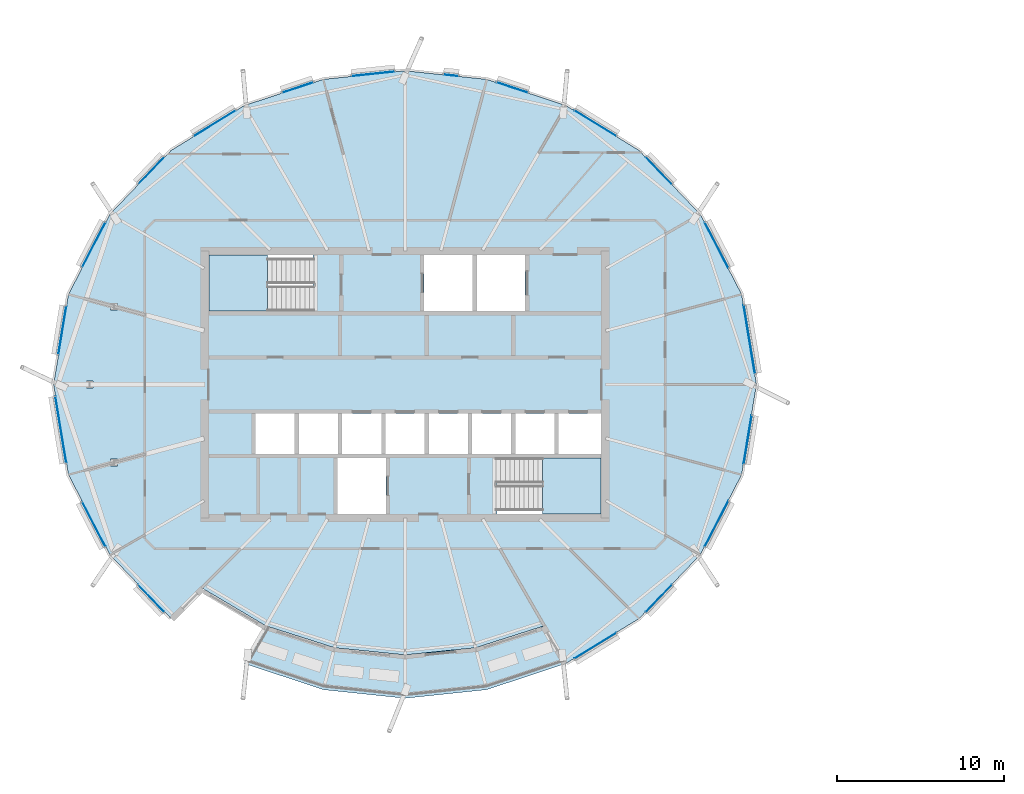
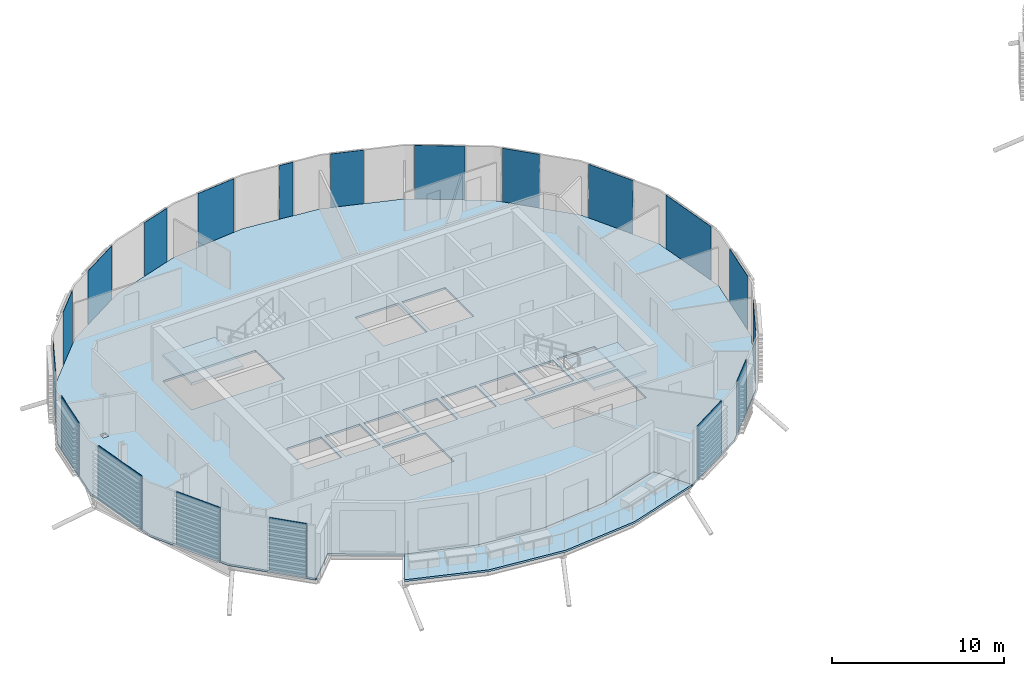
# One storey, part 18 of 41: 19 plates, 4 slabs, 3 elements without a shape of their own.
"""IFC4 building model written with IfcOpenShell, lengths in metres."""

from ifc_helpers import new_model, si_unit, direction, frame, origin, origin_2d, place, context, subcontext, project, spatial, polyline, rectangle, outline, extrude, material, layer, layer_set, type_object, element, aggregate, save


model = new_model("IFC4")

# Units and contexts
model_context = context("Model", 3, precision=1e-05, world=origin(), true_north=direction((0.0, 1.0)))
body_context = subcontext(model_context, "Body", "Model", "MODEL_VIEW")
ifc_project = project(units=[si_unit("LENGTHUNIT", "METRE"), si_unit("AREAUNIT", "SQUARE_METRE"), si_unit("VOLUMEUNIT", "CUBIC_METRE"), si_unit("PLANEANGLEUNIT", "RADIAN"), si_unit("MASSUNIT", "GRAM", prefix="KILO")], contexts=[model_context])

# Site, building, storey
site_placement = place(None, origin())
site = spatial("IfcSite", under=ifc_project, at=site_placement, CompositionType="ELEMENT")
building_placement = place(site_placement, origin())
building = spatial("IfcBuilding", under=site, at=building_placement, Name="Rimbun Link Towers", CompositionType="ELEMENT")
storey_placement = place(building_placement, frame((0.0, 0.0, 210.5)))
storey = spatial("IfcBuildingStorey", under=building, at=storey_placement, Name="L51", CompositionType="ELEMENT", Elevation=210.5)

# Slab
ifc_material_1 = material(Name="Concrete C35/45", Category="concrete")
ifc_layer_1 = layer(ifc_material_1, 0.139892578125)
ifc_layer_set_1 = layer_set([ifc_layer_1], Name="COMPOSITE FLOOR 140")
slab_type_1 = type_object("IfcSlabType", Name="COMPOSITE FLOOR 140", PredefinedType="FLOOR", material=ifc_layer_set_1)
slab_1_placement = place(storey_placement, frame((0.0, 0.0, -0.139892578125)))
element("IfcSlab", 1, at=slab_1_placement, inside=storey, type_object=slab_type_1, Name="Floor slab T1 L51", PredefinedType="FLOOR", context=body_context, shape_type="SweptSolid", body=[
    extrude(outline(polyline([(-49.434814453125, -10.21044921875), (-51.92138671875, -5.40478515625), (-52.810302734375, 0.0), (-51.92138671875, 5.40478515625), (-49.434814453125, 10.21044921875), (-45.7763671875, 14.0263671875), (-41.399658203125, 16.713623046875), (-36.650146484375, 18.28759765625), (-31.75, 18.8037109375), (-26.849853515625, 18.28759765625), (-22.100341796875, 16.713623046875), (-17.7236328125, 14.0263671875), (-14.065185546875, 10.21044921875), (-11.57861328125, 5.40478515625), (-10.689697265625, 0.0), (-11.57861328125, -5.40478515625), (-14.065185546875, -10.21044921875), (-17.7236328125, -14.0263671875), (-22.100341796875, -16.713623046875), (-23.400390625, -14.462158203125), (-27.522705078125, -15.7763671875), (-31.75, -16.20361328125), (-35.977294921875, -15.7763671875), (-40.099609375, -14.462158203125), (-43.93798828125, -12.18798828125), (-45.7763671875, -14.0263671875), (-49.434814453125, -10.21044921875)]), holes=[polyline([(-32.89990234375, -7.75), (-32.89990234375, -4.39990234375), (-35.800048828125, -4.39990234375), (-35.800048828125, -7.75), (-32.89990234375, -7.75)]), polyline([(-48.990478515625, -4.869873046875), (-48.990478515625, -4.476318359375), (-49.389404296875, -4.476318359375), (-49.389404296875, -4.869873046875), (-48.990478515625, -4.869873046875)]), polyline([(-38.361083984375, -4.14990234375), (-38.361083984375, -1.75), (-40.70556640625, -1.75), (-40.70556640625, -4.14990234375), (-38.361083984375, -4.14990234375)]), polyline([(-35.7666015625, -4.14990234375), (-35.7666015625, -1.75), (-38.111083984375, -1.75), (-38.111083984375, -4.14990234375), (-35.7666015625, -4.14990234375)]), polyline([(-33.172119140625, -4.14990234375), (-33.172119140625, -1.75), (-35.5166015625, -1.75), (-35.5166015625, -4.14990234375), (-33.172119140625, -4.14990234375)]), polyline([(-50.456298828125, -0.19677734375), (-50.456298828125, 0.19677734375), (-50.855224609375, 0.19677734375), (-50.855224609375, -0.19677734375), (-50.456298828125, -0.19677734375)]), polyline([(-48.990478515625, 4.476318359375), (-48.990478515625, 4.869873046875), (-49.389404296875, 4.869873046875), (-49.389404296875, 4.476318359375), (-48.990478515625, 4.476318359375)]), polyline([(-37.260009765625, 4.39990234375), (-37.260009765625, 7.75), (-43.5, 7.75), (-43.5, 4.39990234375), (-37.260009765625, 4.39990234375)]), polyline([(-20.0, -7.75), (-20.0, -4.39990234375), (-26.239990234375, -4.39990234375), (-26.239990234375, -7.75), (-20.0, -7.75)]), polyline([(-30.577880859375, -4.14990234375), (-30.577880859375, -1.75), (-32.922119140625, -1.75), (-32.922119140625, -4.14990234375), (-30.577880859375, -4.14990234375)]), polyline([(-27.9833984375, -4.14990234375), (-27.9833984375, -1.75), (-30.327880859375, -1.75), (-30.327880859375, -4.14990234375), (-27.9833984375, -4.14990234375)]), polyline([(-25.388916015625, -4.14990234375), (-25.388916015625, -1.75), (-27.7333984375, -1.75), (-27.7333984375, -4.14990234375), (-25.388916015625, -4.14990234375)]), polyline([(-22.79443359375, -4.14990234375), (-22.79443359375, -1.75), (-25.138916015625, -1.75), (-25.138916015625, -4.14990234375), (-22.79443359375, -4.14990234375)]), polyline([(-20.0, -4.14990234375), (-20.0, -1.75), (-22.54443359375, -1.75), (-22.54443359375, -4.14990234375), (-20.0, -4.14990234375)]), polyline([(-27.699951171875, 4.39990234375), (-27.699951171875, 7.75), (-30.60009765625, 7.75), (-30.60009765625, 4.39990234375), (-27.699951171875, 4.39990234375)]), polyline([(-24.550048828125, 4.39990234375), (-24.550048828125, 7.75), (-27.449951171875, 7.75), (-27.449951171875, 4.39990234375), (-24.550048828125, 4.39990234375)])]), origin(), (0.0, 0.0, 1.0), 0.139892578125),
])

# Curtain wall, plates
ifc_material_2 = material(Name="Aluminium 6063-T6 and low-iron glass", Category="aluminium")
curtain_wall_type = type_object("IfcCurtainWallType", Name="CW1-Z4 unitised vision wall (zone 4)", PredefinedType="NOTDEFINED", material=ifc_material_2)
curtain_wall_placement = place(storey_placement, origin())
curtain_wall = element("IfcCurtainWall", 2, at=curtain_wall_placement, inside=storey, type_object=curtain_wall_type, Name="CW1 L51 T1", PredefinedType="NOTDEFINED")
ifc_material_3 = material(Name="Low-iron glass, laminated low-e unit", Category="glass")
ifc_layer_2 = layer(ifc_material_3, 0.028076171875)
ifc_layer_set_2 = layer_set([ifc_layer_2], Name="CW1 panel Low-iron glass 28")
plate_type = type_object("IfcPlateType", Name="CW1 panel Low-iron glass 28", PredefinedType="CURTAIN_PANEL", material=ifc_layer_set_2)
plate_1_placement = place(storey_placement, frame((-11.120361328125, 2.704833984375, 0.0), z_axis=(0.0, 0.0, 1.0), x_axis=(0.162264068235, -0.986747369979, 0.0)))
plate_1 = element("IfcPlate", 3, at=plate_1_placement, type_object=plate_type, Name="CW1 panel", PredefinedType="CURTAIN_PANEL", context=body_context, shape_type="SweptSolid", body=[
    extrude(rectangle(XDim=4.137451171875, YDim=0.028076171875, at=origin_2d()), origin(), (0.0, 0.0, 1.0), 3.800048828125),
])
plate_2_placement = place(storey_placement, frame((-13.085205078125, 8.346923828125, 0.0), z_axis=(0.0, 0.0, 1.0), x_axis=(0.459553639865, -0.888150016656, 0.0)))
plate_2 = element("IfcPlate", 4, at=plate_2_placement, type_object=plate_type, Name="CW1 panel", PredefinedType="CURTAIN_PANEL", context=body_context, shape_type="SweptSolid", body=[
    extrude(rectangle(XDim=3.07080078125, YDim=0.028076171875, at=origin_2d()), origin(), (0.0, 0.0, 1.0), 3.800048828125),
])
plate_3_placement = place(storey_placement, frame((-16.541748046875, 12.81396484375, 0.0), z_axis=(0.0, 0.0, 1.0), x_axis=(0.692053255443, -0.721846446019, 0.0)))
plate_3 = element("IfcPlate", 5, at=plate_3_placement, type_object=plate_type, Name="CW1 panel", PredefinedType="CURTAIN_PANEL", context=body_context, shape_type="SweptSolid", body=[
    extrude(rectangle(XDim=2.246337890625, YDim=0.028076171875, at=origin_2d()), origin(), (0.0, 0.0, 1.0), 3.800048828125),
])
plate_4_placement = place(storey_placement, frame((-20.35205078125, 15.65673828125, 0.0), z_axis=(0.0, 0.0, 1.0), x_axis=(0.852184020392, -0.523242195727, 0.0)))
plate_4 = element("IfcPlate", 6, at=plate_4_placement, type_object=plate_type, Name="CW1 panel", PredefinedType="CURTAIN_PANEL", context=body_context, shape_type="SweptSolid", body=[
    extrude(rectangle(XDim=2.94580078125, YDim=0.028076171875, at=origin_2d()), origin(), (0.0, 0.0, 1.0), 3.800048828125),
])
plate_5_placement = place(storey_placement, frame((-25.324951171875, 17.797119140625, 0.0), z_axis=(0.0, 0.0, 1.0), x_axis=(0.949231478105, -0.314578449635, 0.0)))
plate_5 = element("IfcPlate", 7, at=plate_5_placement, type_object=plate_type, Name="CW1 panel", PredefinedType="CURTAIN_PANEL", context=body_context, shape_type="SweptSolid", body=[
    extrude(rectangle(XDim=1.963623046875, YDim=0.028076171875, at=origin_2d()), origin(), (0.0, 0.0, 1.0), 3.800048828125),
])
plate_6_placement = place(storey_placement, frame((-29.0, 18.5283203125, 0.0), z_axis=(0.0, 0.0, 1.0), x_axis=(0.994501448774, -0.104722816932, 0.0)))
plate_6 = element("IfcPlate", 8, at=plate_6_placement, type_object=plate_type, Name="CW1 panel", PredefinedType="CURTAIN_PANEL", context=body_context, shape_type="SweptSolid", body=[
    extrude(rectangle(XDim=0.88720703125, YDim=0.028076171875, at=origin_2d()), origin(), (0.0, 0.0, 1.0), 3.800048828125),
])
plate_7_placement = place(storey_placement, frame((-33.654541015625, 18.6171875, 0.0), z_axis=(0.0, 0.0, 1.0), x_axis=(0.994501448774, 0.104722816932, 0.0)))
plate_7 = element("IfcPlate", 9, at=plate_7_placement, type_object=plate_type, Name="CW1 panel", PredefinedType="CURTAIN_PANEL", context=body_context, shape_type="SweptSolid", body=[
    extrude(rectangle(XDim=2.58740234375, YDim=0.028076171875, at=origin_2d()), origin(), (0.0, 0.0, 1.0), 3.800048828125),
])
plate_8_placement = place(storey_placement, frame((-38.175048828125, 17.797119140625, 0.0), z_axis=(0.0, 0.0, 1.0), x_axis=(0.949231478105, 0.314578449635, 0.0)))
plate_8 = element("IfcPlate", 10, at=plate_8_placement, type_object=plate_type, Name="CW1 panel", PredefinedType="CURTAIN_PANEL", context=body_context, shape_type="SweptSolid", body=[
    extrude(rectangle(XDim=1.963623046875, YDim=0.028076171875, at=origin_2d()), origin(), (0.0, 0.0, 1.0), 3.800048828125),
])
plate_9_placement = place(storey_placement, frame((-43.14794921875, 15.65673828125, 0.0), z_axis=(0.0, 0.0, 1.0), x_axis=(0.852184020392, 0.523242195727, 0.0)))
plate_9 = element("IfcPlate", 11, at=plate_9_placement, type_object=plate_type, Name="CW1 panel", PredefinedType="CURTAIN_PANEL", context=body_context, shape_type="SweptSolid", body=[
    extrude(rectangle(XDim=2.94580078125, YDim=0.028076171875, at=origin_2d()), origin(), (0.0, 0.0, 1.0), 3.800048828125),
])
plate_10_placement = place(storey_placement, frame((-46.958251953125, 12.81396484375, 0.0), z_axis=(0.0, 0.0, 1.0), x_axis=(0.692053255443, 0.721846446019, 0.0)))
plate_10 = element("IfcPlate", 12, at=plate_10_placement, type_object=plate_type, Name="CW1 panel", PredefinedType="CURTAIN_PANEL", context=body_context, shape_type="SweptSolid", body=[
    extrude(rectangle(XDim=2.246337890625, YDim=0.028076171875, at=origin_2d()), origin(), (0.0, 0.0, 1.0), 3.800048828125),
])
plate_11_placement = place(storey_placement, frame((-50.4033203125, 8.369140625, 0.0), z_axis=(0.0, 0.0, 1.0), x_axis=(0.459553639865, 0.888150016656, 0.0)))
plate_11 = element("IfcPlate", 13, at=plate_11_placement, type_object=plate_type, Name="CW1 panel", PredefinedType="CURTAIN_PANEL", context=body_context, shape_type="SweptSolid", body=[
    extrude(rectangle(XDim=3.020751953125, YDim=0.028076171875, at=origin_2d()), origin(), (0.0, 0.0, 1.0), 3.800048828125),
])
plate_12_placement = place(storey_placement, frame((-52.290283203125, 3.247314453125, 0.0), z_axis=(0.0, 0.0, 1.0), x_axis=(0.162264068235, 0.986747369979, 0.0)))
plate_12 = element("IfcPlate", 14, at=plate_12_placement, type_object=plate_type, Name="CW1 panel", PredefinedType="CURTAIN_PANEL", context=body_context, shape_type="SweptSolid", body=[
    extrude(rectangle(XDim=2.9375, YDim=0.028076171875, at=origin_2d()), origin(), (0.0, 0.0, 1.0), 3.800048828125),
])
plate_13_placement = place(storey_placement, frame((-52.379638671875, -2.704833984375, 0.0), z_axis=(0.0, 0.0, 1.0), x_axis=(-0.162264068235, 0.986747369979, 0.0)))
plate_13 = element("IfcPlate", 15, at=plate_13_placement, type_object=plate_type, Name="CW1 panel", PredefinedType="CURTAIN_PANEL", context=body_context, shape_type="SweptSolid", body=[
    extrude(rectangle(XDim=4.03759765625, YDim=0.028076171875, at=origin_2d()), origin(), (0.0, 0.0, 1.0), 3.800048828125),
])
plate_14_placement = place(storey_placement, frame((-50.4033203125, -8.369140625, 0.0), z_axis=(0.0, 0.0, 1.0), x_axis=(-0.459553639865, 0.888150016656, 0.0)))
plate_14 = element("IfcPlate", 16, at=plate_14_placement, type_object=plate_type, Name="CW1 panel", PredefinedType="CURTAIN_PANEL", context=body_context, shape_type="SweptSolid", body=[
    extrude(rectangle(XDim=3.020751953125, YDim=0.028076171875, at=origin_2d()), origin(), (0.0, 0.0, 1.0), 3.800048828125),
])
plate_15_placement = place(storey_placement, frame((-46.958251953125, -12.81396484375, 0.0), z_axis=(0.0, 0.0, 1.0), x_axis=(-0.692053255443, 0.721846446019, 0.0)))
plate_15 = element("IfcPlate", 17, at=plate_15_placement, type_object=plate_type, Name="CW1 panel", PredefinedType="CURTAIN_PANEL", context=body_context, shape_type="SweptSolid", body=[
    extrude(rectangle(XDim=2.246337890625, YDim=0.028076171875, at=origin_2d()), origin(), (0.0, 0.0, 1.0), 3.800048828125),
])
plate_16_placement = place(storey_placement, frame((-20.35205078125, -15.65673828125, 0.0), z_axis=(0.0, 0.0, 1.0), x_axis=(-0.852184020392, -0.523242195727, 0.0)))
plate_16 = element("IfcPlate", 18, at=plate_16_placement, type_object=plate_type, Name="CW1 panel", PredefinedType="CURTAIN_PANEL", context=body_context, shape_type="SweptSolid", body=[
    extrude(rectangle(XDim=2.94580078125, YDim=0.028076171875, at=origin_2d()), origin(), (0.0, 0.0, 1.0), 3.800048828125),
])
plate_17_placement = place(storey_placement, frame((-16.541748046875, -12.81396484375, 0.0), z_axis=(0.0, 0.0, 1.0), x_axis=(-0.692053255443, -0.721846446019, 0.0)))
plate_17 = element("IfcPlate", 19, at=plate_17_placement, type_object=plate_type, Name="CW1 panel", PredefinedType="CURTAIN_PANEL", context=body_context, shape_type="SweptSolid", body=[
    extrude(rectangle(XDim=2.246337890625, YDim=0.028076171875, at=origin_2d()), origin(), (0.0, 0.0, 1.0), 3.800048828125),
])
plate_18_placement = place(storey_placement, frame((-13.085205078125, -8.346923828125, 0.0), z_axis=(0.0, 0.0, 1.0), x_axis=(-0.459553639865, -0.888150016656, 0.0)))
plate_18 = element("IfcPlate", 20, at=plate_18_placement, type_object=plate_type, Name="CW1 panel", PredefinedType="CURTAIN_PANEL", context=body_context, shape_type="SweptSolid", body=[
    extrude(rectangle(XDim=3.07080078125, YDim=0.028076171875, at=origin_2d()), origin(), (0.0, 0.0, 1.0), 3.800048828125),
])
plate_19_placement = place(storey_placement, frame((-11.2177734375, -3.296875, 0.0), z_axis=(0.0, 0.0, 1.0), x_axis=(-0.162264068235, -0.986747369979, 0.0)))
plate_19 = element("IfcPlate", 21, at=plate_19_placement, type_object=plate_type, Name="CW1 panel", PredefinedType="CURTAIN_PANEL", context=body_context, shape_type="SweptSolid", body=[
    extrude(rectangle(XDim=2.9375, YDim=0.028076171875, at=origin_2d()), origin(), (0.0, 0.0, 1.0), 3.800048828125),
])
aggregate(curtain_wall, [plate_1, plate_2, plate_3, plate_4, plate_5, plate_6, plate_7, plate_8, plate_9, plate_10, plate_11, plate_12, plate_13, plate_14, plate_15, plate_16, plate_17, plate_18, plate_19])

# Stair, slab
ifc_material_4 = material(Name="Concrete C40/50", Category="concrete")
stair_type = type_object("IfcStairType", Name="Exit stair 3800 rise", PredefinedType="HALF_TURN_STAIR", material=ifc_material_4)
stair_1_placement = place(storey_placement, origin())
stair_1 = element("IfcStair", 22, at=stair_1_placement, inside=storey, type_object=stair_type, Name="L51 EXIT STAIR A", PredefinedType="HALF_TURN_STAIR")
ifc_material_5 = material(Name="Concrete C40/50", Category="concrete")
ifc_layer_3 = layer(ifc_material_5, 0.199951171875)
ifc_layer_set_3 = layer_set([ifc_layer_3], Name="Stair landing")
slab_type_2 = type_object("IfcSlabType", Name="Stair landing", PredefinedType="LANDING", material=ifc_layer_set_3)
slab_2_placement = place(storey_placement, frame((0.0, 0.0, 1.699951171875)))
slab_2 = element("IfcSlab", 23, at=slab_2_placement, type_object=slab_type_2, Name="ST1 landing 1", PredefinedType="LANDING", context=body_context, shape_type="SweptSolid", body=[
    extrude(outline(polyline([(-40.0, 7.75), (-43.5, 7.75), (-43.5, 4.39990234375), (-40.0, 4.39990234375), (-40.0, 7.75)])), origin(), (0.0, 0.0, 1.0), 0.199951171875),
])
aggregate(stair_1, [slab_2])

stair_2_placement = place(storey_placement, origin())
stair_2 = element("IfcStair", 24, at=stair_2_placement, inside=storey, type_object=stair_type, Name="L51 EXIT STAIR B", PredefinedType="HALF_TURN_STAIR")
slab_3_placement = place(storey_placement, frame((0.0, 0.0, 1.699951171875)))
slab_3 = element("IfcSlab", 25, at=slab_3_placement, type_object=slab_type_2, Name="ST2 landing 1", PredefinedType="LANDING", context=body_context, shape_type="SweptSolid", body=[
    extrude(outline(polyline([(-23.5, -7.75), (-20.0, -7.75), (-20.0, -4.39990234375), (-23.5, -4.39990234375), (-23.5, -7.75)])), origin(), (0.0, 0.0, 1.0), 0.199951171875),
])
aggregate(stair_2, [slab_3])

# Slab
ifc_material_6 = material(Name="Concrete C35/45", Category="concrete")
ifc_layer_4 = layer(ifc_material_6, 0.139892578125)
ifc_layer_set_4 = layer_set([ifc_layer_4], Name="TERRACE SLAB 140")
slab_type_3 = type_object("IfcSlabType", Name="TERRACE SLAB 140", PredefinedType="FLOOR", material=ifc_layer_set_4)
slab_4_placement = place(storey_placement, frame((0.0, 0.0, -0.139892578125)))
element("IfcSlab", 26, at=slab_4_placement, inside=storey, type_object=slab_type_3, Name="Terrace slab T1 L51", PredefinedType="FLOOR", context=body_context, shape_type="SweptSolid", body=[
    extrude(outline(polyline([(-40.099609375, -14.462158203125), (-35.977294921875, -15.7763671875), (-31.75, -16.20361328125), (-27.522705078125, -15.7763671875), (-23.400390625, -14.462158203125), (-22.100341796875, -16.713623046875), (-26.849853515625, -18.28759765625), (-31.75, -18.8037109375), (-36.650146484375, -18.28759765625), (-41.399658203125, -16.713623046875), (-40.099609375, -14.462158203125)])), origin(), (0.0, 0.0, 1.0), 0.139892578125),
])

save(model, "model.ifc")
